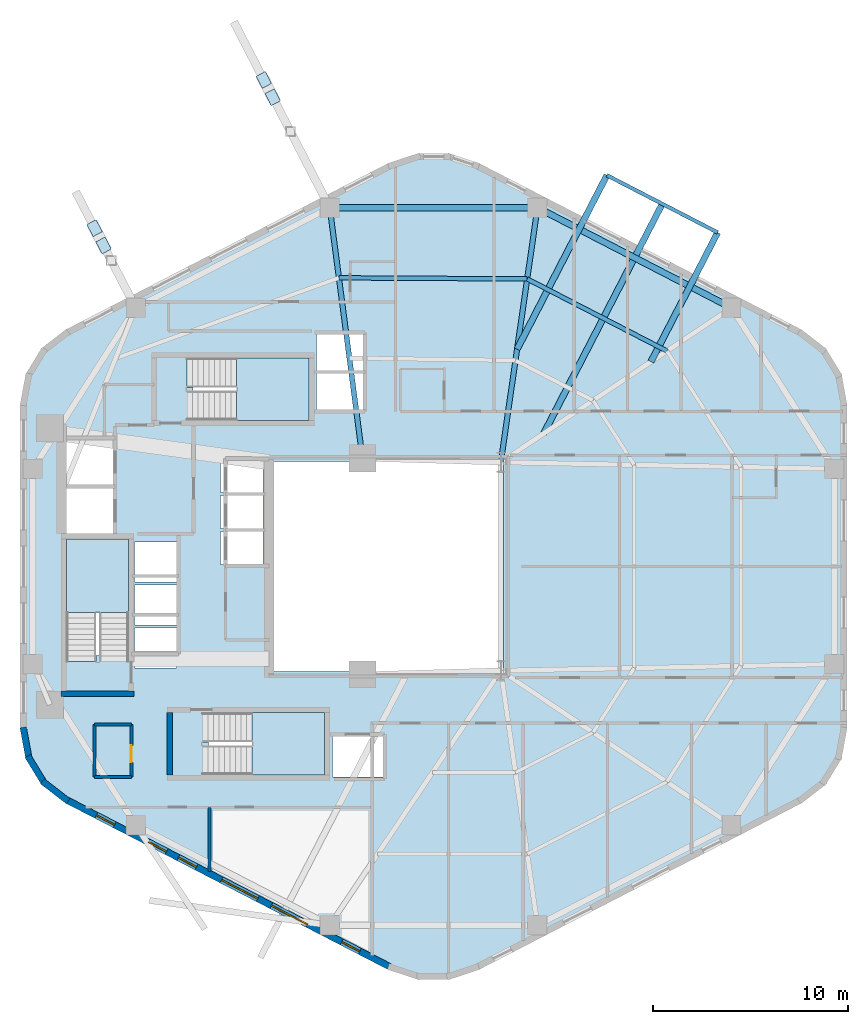
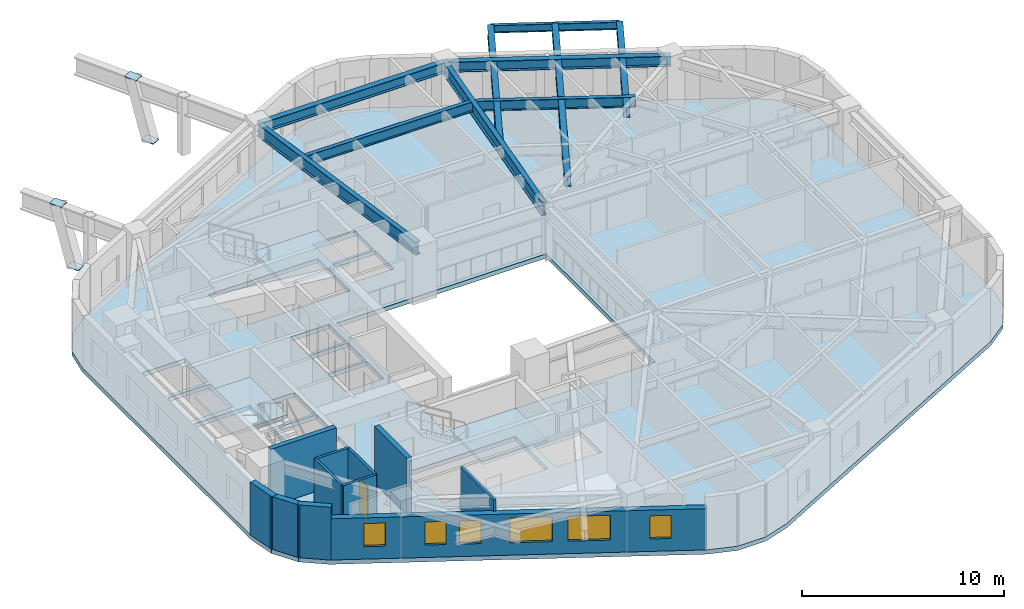
# One storey, part 2 of 8: 11 walls, 10 beams, 6 windows, 4 plates, 4 slabs, 1 door, 7 openings, 3 elements without a shape of their own.
"""IFC4 building model written with IfcOpenShell, lengths in metres."""

from ifc_helpers import new_model, si_unit, direction, frame, frame_2d, origin, origin_2d, place, context, subcontext, project, spatial, polyline, rectangle, i_section, outline, extrude, material, layer, layer_set, material_profile, profile_set, type_object, element, fill, aggregate, save


model = new_model("IFC4")

# Units and contexts
model_context = context("Model", 3, precision=1e-05, world=origin(), true_north=direction((0.0, 1.0)))
body_context = subcontext(model_context, "Body", "Model", "MODEL_VIEW")
ifc_project = project(units=[si_unit("LENGTHUNIT", "METRE"), si_unit("AREAUNIT", "SQUARE_METRE"), si_unit("VOLUMEUNIT", "CUBIC_METRE"), si_unit("PLANEANGLEUNIT", "RADIAN"), si_unit("MASSUNIT", "GRAM", prefix="KILO"), si_unit("THERMODYNAMICTEMPERATUREUNIT", "KELVIN"), si_unit("POWERUNIT", "WATT")], contexts=[model_context])

# Site, building, storey
site_placement = place(None, origin())
site = spatial("IfcSite", under=ifc_project, at=site_placement, CompositionType="ELEMENT")
building_placement = place(site_placement, origin())
building = spatial("IfcBuilding", under=site, at=building_placement, Name="Skarre Station Tower", CompositionType="ELEMENT")
storey_placement = place(building_placement, frame((0.0, 0.0, 129.14990234375)))
storey = spatial("IfcBuildingStorey", under=building, at=storey_placement, Name="L34", CompositionType="ELEMENT", Elevation=129.14990234375)

# Beams
ifc_material_1 = material(Name="Steel ASTM A992 Grade 50", Category="steel")
ifc_material_profile_1 = material_profile(ifc_material_1, i_section(OverallWidth=0.323974609375, OverallDepth=0.611083984375, WebThickness=0.012939453125, FlangeThickness=0.01904296875, at=origin_2d()), Name="Steel ASTM A992 Grade 50")
ifc_profile_set_1 = profile_set([ifc_material_profile_1], Name="Steel ASTM A992 Grade 50")
beam_type_1 = type_object("IfcBeamType", Name="Steel Beam W24X104", PredefinedType="BEAM", material=ifc_profile_set_1)
beam_1_placement = place(storey_placement, frame((41.655029296875, 30.825927734375, 2.800048828125), z_axis=(0.458663551569, 0.888610008081, 0.0), x_axis=(-0.888610008081, 0.458663551569, 0.0)))
element("IfcBeam", 1, at=beam_1_placement, inside=storey, type_object=beam_type_1, Name="L34 TB-L35-F0 Center Outrigger Beam", PredefinedType="BEAM", context=body_context, shape_type="SweptSolid", body=[
    extrude(i_section(OverallWidth=0.323974609375, OverallDepth=0.611083984375, WebThickness=0.012939453125, FlangeThickness=0.01904296875, at=origin_2d()), origin(), (0.0, 0.0, 1.0), 13.262451171875),
])
beam_2_placement = place(storey_placement, frame((47.156982421875, 34.509033203125, 2.800048828125), z_axis=(0.458648750807, 0.888617647463, 0.0), x_axis=(-0.888617647463, 0.458648750807, 0.0)))
element("IfcBeam", 2, at=beam_2_placement, inside=storey, type_object=beam_type_1, Name="L34 TB-L35-F0 Outrigger Beam 1", PredefinedType="BEAM", context=body_context, shape_type="SweptSolid", body=[
    extrude(i_section(OverallWidth=0.323974609375, OverallDepth=0.611083984375, WebThickness=0.012939453125, FlangeThickness=0.01904296875, at=origin_2d()), origin(), (0.0, 0.0, 1.0), 7.465576171875),
])
beam_3_placement = place(storey_placement, frame((40.284912109375, 35.14990234375, 2.800048828125), z_axis=(0.458683146358, 0.888599893792, 0.0), x_axis=(-0.888599893792, 0.458683146358, 0.0)))
element("IfcBeam", 3, at=beam_3_placement, inside=storey, type_object=beam_type_1, Name="L34 TB-L35-F0 Outrigger Beam 2", PredefinedType="BEAM", context=body_context, shape_type="SweptSolid", body=[
    extrude(i_section(OverallWidth=0.323974609375, OverallDepth=0.611083984375, WebThickness=0.012939453125, FlangeThickness=0.01904296875, at=origin_2d()), origin(), (0.0, 0.0, 1.0), 10.048583984375),
])
ifc_material_profile_2 = material_profile(ifc_material_1, i_section(OverallWidth=0.26806640625, OverallDepth=0.77001953125, WebThickness=0.01611328125, FlangeThickness=0.02490234375, at=origin_2d()), Name="Steel ASTM A992 Grade 50")
ifc_profile_set_2 = profile_set([ifc_material_profile_2], Name="Steel ASTM A992 Grade 50")
beam_type_2 = type_object("IfcBeamType", Name="Steel Beam W30X132", PredefinedType="BEAM", material=ifc_profile_set_2)
beam_4_placement = place(storey_placement, frame((39.449951171875, 29.35009765625, 2.80517578125), z_axis=(0.142480121776, 0.989797663616, 0.0), x_axis=(-0.989797663616, 0.142480121776, 0.0)))
element("IfcBeam", 4, at=beam_4_placement, inside=storey, type_object=beam_type_2, Name="L34 Radial Floor Girder F0C2", PredefinedType="BEAM", context=body_context, shape_type="SweptSolid", body=[
    extrude(i_section(OverallWidth=0.26806640625, OverallDepth=0.77001953125, WebThickness=0.01611328125, FlangeThickness=0.02490234375, at=origin_2d()), origin(), (0.0, 0.0, 1.0), 13.20263671875),
])
beam_5_placement = place(storey_placement, frame((32.35009765625, 29.550048828125, 2.80517578125), z_axis=(-0.129545878778, 0.991573429097, 0.0), x_axis=(-0.991573429097, -0.129545878778, 0.0)))
element("IfcBeam", 5, at=beam_5_placement, inside=storey, type_object=beam_type_2, Name="L34 Radial Floor Girder F1C1", PredefinedType="BEAM", context=body_context, shape_type="SweptSolid", body=[
    extrude(i_section(OverallWidth=0.26806640625, OverallDepth=0.77001953125, WebThickness=0.01611328125, FlangeThickness=0.02490234375, at=origin_2d()), origin(), (0.0, 0.0, 1.0), 12.977294921875),
])
ifc_material_profile_3 = material_profile(ifc_material_1, i_section(OverallWidth=0.19091796875, OverallDepth=0.45703125, WebThickness=0.009033203125, FlangeThickness=0.013916015625, at=origin_2d()), Name="Steel ASTM A992 Grade 50")
ifc_profile_set_3 = profile_set([ifc_material_profile_3], Name="Steel ASTM A992 Grade 50")
beam_type_3 = type_object("IfcBeamType", Name="Steel Joist W18X50", PredefinedType="JOIST", material=ifc_profile_set_3)
beam_6_placement = place(storey_placement, frame((50.5810546875, 41.14306640625, 2.8759765625), z_axis=(-0.888569497845, 0.458742027178, 0.0), x_axis=(-0.458742027178, -0.888569497845, 0.0)))
element("IfcBeam", 6, at=beam_6_placement, inside=storey, type_object=beam_type_3, Name="L34 TB-L35-F0 Rim Beam", PredefinedType="JOIST", context=body_context, shape_type="SweptSolid", body=[
    extrude(i_section(OverallWidth=0.19091796875, OverallDepth=0.45703125, WebThickness=0.009033203125, FlangeThickness=0.013916015625, at=origin_2d()), origin(), (0.0, 0.0, 1.0), 6.400146484375),
])
ifc_material_profile_4 = material_profile(ifc_material_1, i_section(OverallWidth=0.22802734375, OverallDepth=0.60791015625, WebThickness=0.010986328125, FlangeThickness=0.01708984375, at=origin_2d()), Name="Steel ASTM A992 Grade 50")
ifc_profile_set_4 = profile_set([ifc_material_profile_4], Name="Steel ASTM A992 Grade 50")
beam_type_4 = type_object("IfcBeamType", Name="Steel Joist W24X76", PredefinedType="JOIST", material=ifc_profile_set_4)
beam_7_placement = place(storey_placement, frame((47.97607421875, 35.056884765625, 2.885986328125), z_axis=(-0.888599977053, 0.458682985057, 0.0), x_axis=(-0.458682985057, -0.888599977053, 0.0)))
element("IfcBeam", 7, at=beam_7_placement, inside=storey, type_object=beam_type_4, Name="L34 Secondary Floor Joist 2", PredefinedType="JOIST", context=body_context, shape_type="SweptSolid", body=[
    extrude(i_section(OverallWidth=0.22802734375, OverallDepth=0.60791015625, WebThickness=0.010986328125, FlangeThickness=0.01708984375, at=origin_2d()), origin(), (0.0, 0.0, 1.0), 8.0712890625),
])
beam_8_placement = place(storey_placement, frame((40.803955078125, 38.759033203125, 2.885986328125), z_axis=(-0.999983266349, 0.005785068917, 0.0), x_axis=(-0.005785068917, -0.999983266349, 0.0)))
element("IfcBeam", 8, at=beam_8_placement, inside=storey, type_object=beam_type_4, Name="L34 Secondary Floor Joist 4", PredefinedType="JOIST", context=body_context, shape_type="SweptSolid", body=[
    extrude(i_section(OverallWidth=0.22802734375, OverallDepth=0.60791015625, WebThickness=0.010986328125, FlangeThickness=0.01708984375, at=origin_2d()), origin(), (0.0, 0.0, 1.0), 9.664306640625),
])
ifc_material_profile_5 = material_profile(ifc_material_1, i_section(OverallWidth=0.327880859375, OverallDepth=0.6279296875, WebThickness=0.01708984375, FlangeThickness=0.028076171875, at=origin_2d()), Name="Steel ASTM A992 Grade 50")
ifc_profile_set_5 = profile_set([ifc_material_profile_5], Name="Steel ASTM A992 Grade 50")
beam_type_5 = type_object("IfcBeamType", Name="Steel Spandrel W24X146", PredefinedType="SPANDREL", material=ifc_profile_set_5)
beam_9_placement = place(storey_placement, frame((51.291015625, 37.277099609375, 2.8759765625), z_axis=(-0.888611779493, 0.458660119639, 0.0), x_axis=(-0.458660119639, -0.888611779493, 0.0)))
element("IfcBeam", 9, at=beam_9_placement, inside=storey, type_object=beam_type_5, Name="L34 Facet Spandrel Beam 1", PredefinedType="SPANDREL", context=body_context, shape_type="SweptSolid", body=[
    extrude(i_section(OverallWidth=0.327880859375, OverallDepth=0.6279296875, WebThickness=0.01708984375, FlangeThickness=0.028076171875, at=origin_2d()), origin(), (0.0, 0.0, 1.0), 11.20849609375),
])
beam_10_placement = place(storey_placement, frame((41.3310546875, 42.41796875, 2.8759765625), z_axis=(-1.0, 0.0, 0.0), x_axis=(0.0, -1.0, 0.0)))
element("IfcBeam", 10, at=beam_10_placement, inside=storey, type_object=beam_type_5, Name="L34 Facet Spandrel Beam 2", PredefinedType="SPANDREL", context=body_context, shape_type="SweptSolid", body=[
    extrude(i_section(OverallWidth=0.327880859375, OverallDepth=0.6279296875, WebThickness=0.01708984375, FlangeThickness=0.028076171875, at=origin_2d()), origin(), (0.0, 0.0, 1.0), 10.662109375),
])

# Plates
ifc_material_2 = material(Name="Steel ASTM A572 Grade 50", Category="steel")
ifc_layer_1 = layer(ifc_material_2, 0.031982421875, Name="Steel ASTM A572 Grade 50")
ifc_layer_set_1 = layer_set([ifc_layer_1], Name="Steel ASTM A572 Grade 50")
plate_type = type_object("IfcPlateType", Name="Exoskeleton Strut Cap Plate 700x540x32", PredefinedType="USERDEFINED", material=ifc_layer_set_1)
for number, where, z_axis, x_axis, name in (
    (11, (27.742919921875, 48.0869140625, -0.2861328125), (0.0, 0.0, 1.0), (-0.458649554484, 0.888617232655, 0.0), "L34 SB-3 Exoskeleton Tier-2 Base Gusset S1"),
    (12, (27.283935546875, 48.97607421875, 3.1640625), (0.0, 0.0, 1.0), (-0.458649554484, 0.888617232655, 0.0), "L34 SB-3 Exoskeleton Tier-2 Head Gusset S1"),
    (13, (19.05810546875, 40.47607421875, -0.2861328125), (0.0, 0.0, 1.0), (-0.458649554484, 0.888617232655, 0.0), "L34 SB-3 Exoskeleton Tier-2 Base Gusset S2"),
    (14, (18.59912109375, 41.364990234375, 3.1640625), (0.0, 0.0, 1.0), (-0.458649554484, 0.888617232655, 0.0), "L34 SB-3 Exoskeleton Tier-2 Head Gusset S2"),
):
    element("IfcPlate", number, at=place(storey_placement, frame(where, z_axis=z_axis, x_axis=x_axis)), inside=storey, type_object=plate_type, Name=name, ObjectType="STIFFENER_PLATE", PredefinedType="USERDEFINED", context=body_context, shape_type="SweptSolid", body=[
        extrude(rectangle(XDim=0.699951171875, YDim=0.5400390625, at=origin_2d()), origin(), (0.0, 0.0, 1.0), 0.031982421875),
    ])

# Stair, slab
ifc_material_3 = material(Name="Concrete C40/50", Category="concrete")
stair_type_1 = type_object("IfcStairType", Name="Reinforced Concrete Exit Stair ST-1", PredefinedType="HALF_TURN_STAIR", material=ifc_material_3)
stair_1_placement = place(storey_placement, origin())
stair_1 = element("IfcStair", 15, at=stair_1_placement, inside=storey, type_object=stair_type_1, Name="L34 Core Exit Stair ST-1", PredefinedType="HALF_TURN_STAIR")
ifc_layer_2 = layer(ifc_material_3, 0.219970703125, Name="Concrete C40/50")
ifc_layer_set_2 = layer_set([ifc_layer_2], Name="Concrete C40/50")
slab_type_1 = type_object("IfcSlabType", Name="Reinforced Concrete Stair & Ramp Landing 220", PredefinedType="LANDING", material=ifc_layer_set_2)
slab_1_placement = place(storey_placement, frame((0.0, 0.0, 1.525146484375)))
slab_1 = element("IfcSlab", 16, at=slab_1_placement, type_object=slab_type_1, Name="ST-1 landing 1", PredefinedType="LANDING", context=body_context, shape_type="SweptSolid", body=[
    extrude(outline(polyline([(20.35009765625, 21.639892578125), (20.35009765625, 25.39990234375), (17.14990234375, 25.39990234375), (17.14990234375, 21.639892578125), (20.35009765625, 21.639892578125)])), origin(), (0.0, 0.0, 1.0), 0.199951171875),
])
aggregate(stair_1, [slab_1])

stair_type_2 = type_object("IfcStairType", Name="Reinforced Concrete Exit Stair ST-2", PredefinedType="HALF_TURN_STAIR", material=ifc_material_3)
stair_2_placement = place(storey_placement, origin())
stair_2 = element("IfcStair", 17, at=stair_2_placement, inside=storey, type_object=stair_type_2, Name="L34 Core Exit Stair ST-2", PredefinedType="HALF_TURN_STAIR")
slab_2_placement = place(storey_placement, frame((0.0, 0.0, 1.525146484375)))
slab_2 = element("IfcSlab", 18, at=slab_2_placement, type_object=slab_type_1, Name="ST-2 landing 1", PredefinedType="LANDING", context=body_context, shape_type="SweptSolid", body=[
    extrude(outline(polyline([(26.669921875, 13.300048828125), (30.39990234375, 13.300048828125), (30.39990234375, 16.5), (26.669921875, 16.5), (26.669921875, 13.300048828125)])), origin(), (0.0, 0.0, 1.0), 0.199951171875),
])
aggregate(stair_2, [slab_2])

stair_type_3 = type_object("IfcStairType", Name="Reinforced Concrete Exit Stair ST-3", PredefinedType="HALF_TURN_STAIR", material=ifc_material_3)
stair_3_placement = place(storey_placement, origin())
stair_3 = element("IfcStair", 19, at=stair_3_placement, inside=storey, type_object=stair_type_3, Name="L34 Core Exit Stair ST-3", PredefinedType="HALF_TURN_STAIR")
slab_3_placement = place(storey_placement, frame((0.0, 0.0, 1.525146484375)))
slab_3 = element("IfcSlab", 20, at=slab_3_placement, type_object=slab_type_1, Name="ST-3 landing 1", PredefinedType="LANDING", context=body_context, shape_type="SweptSolid", body=[
    extrude(outline(polyline([(25.8701171875, 31.5), (29.60009765625, 31.5), (29.60009765625, 34.699951171875), (25.8701171875, 34.699951171875), (25.8701171875, 31.5)])), origin(), (0.0, 0.0, 1.0), 0.199951171875),
])
aggregate(stair_3, [slab_3])

# Slab
ifc_material_4 = material(Name="Concrete C50/60", Category="concrete")
ifc_layer_3 = layer(ifc_material_4, 0.260009765625, Name="Concrete C50/60")
ifc_layer_set_3 = layer_set([ifc_layer_3], Name="Concrete C50/60")
slab_type_2 = type_object("IfcSlabType", Name="Tower Typical Composite Floor Slab 260", PredefinedType="FLOOR", material=ifc_layer_set_3)
slab_4_placement = place(storey_placement, frame((0.0, 0.0, -0.260009765625)))
element("IfcSlab", 21, at=slab_4_placement, inside=storey, type_object=slab_type_2, Name="L34 Zone 2 Structural Floor Slab", PredefinedType="FLOOR", context=body_context, shape_type="SweptSolid", body=[
    extrude(outline(polyline([(57.218017578125, 32.35205078125), (56.93701171875, 33.873046875), (56.132080078125, 35.194091796875), (54.908935546875, 36.14111328125), (38.30908203125, 44.708984375), (36.7958984375, 45.2060546875), (35.2041015625, 45.2060546875), (33.69091796875, 44.708984375), (17.091064453125, 36.14111328125), (15.867919921875, 35.194091796875), (15.06298828125, 33.873046875), (14.781982421875, 32.35205078125), (14.781982421875, 15.64794921875), (15.06298828125, 14.126953125), (15.867919921875, 12.805908203125), (17.091064453125, 11.85888671875), (33.69091796875, 3.291015625), (35.2041015625, 2.7939453125), (36.7958984375, 2.7939453125), (38.30908203125, 3.291015625), (54.908935546875, 11.85888671875), (56.132080078125, 12.805908203125), (56.93701171875, 14.126953125), (57.218017578125, 15.64794921875), (57.218017578125, 32.35205078125)]), holes=[polyline([(18.669921875, 19.419921875), (18.669921875, 19.123046875), (17.14990234375, 19.123046875), (17.14990234375, 25.39990234375), (20.35009765625, 25.39990234375), (20.35009765625, 19.419921875), (18.669921875, 19.419921875)]), polyline([(24.449951171875, 14.97998046875), (24.153076171875, 14.97998046875), (24.153076171875, 16.5), (30.39990234375, 16.5), (30.39990234375, 13.300048828125), (24.449951171875, 13.300048828125), (24.449951171875, 14.97998046875)]), polyline([(23.64990234375, 33.179931640625), (23.35302734375, 33.179931640625), (23.35302734375, 34.699951171875), (29.60009765625, 34.699951171875), (29.60009765625, 31.5), (23.64990234375, 31.5), (23.64990234375, 33.179931640625)]), polyline([(17.14990234375, 28.0), (19.550048828125, 28.0), (19.550048828125, 25.699951171875), (17.14990234375, 25.699951171875), (17.14990234375, 28.0)]), polyline([(17.14990234375, 30.5), (19.550048828125, 30.5), (19.550048828125, 28.199951171875), (17.14990234375, 28.199951171875), (17.14990234375, 30.5)]), polyline([(30.800048828125, 15.300048828125), (33.39990234375, 15.300048828125), (33.39990234375, 13.199951171875), (30.800048828125, 13.199951171875), (30.800048828125, 15.300048828125)]), polyline([(25.050048828125, 25.800048828125), (27.25, 25.800048828125), (27.25, 24.10009765625), (25.050048828125, 24.10009765625), (25.050048828125, 25.800048828125)]), polyline([(25.050048828125, 27.64990234375), (27.25, 27.64990234375), (27.25, 25.949951171875), (25.050048828125, 25.949951171875), (25.050048828125, 27.64990234375)]), polyline([(25.050048828125, 29.5), (27.25, 29.5), (27.25, 27.800048828125), (25.050048828125, 27.800048828125), (25.050048828125, 29.5)]), polyline([(20.64990234375, 20.85009765625), (22.800048828125, 20.85009765625), (22.800048828125, 18.800048828125), (20.64990234375, 18.800048828125), (20.64990234375, 20.85009765625)]), polyline([(20.64990234375, 23.050048828125), (22.800048828125, 23.050048828125), (22.800048828125, 21.0), (20.64990234375, 21.0), (20.64990234375, 23.050048828125)]), polyline([(20.64990234375, 25.25), (22.800048828125, 25.25), (22.800048828125, 23.199951171875), (20.64990234375, 23.199951171875), (20.64990234375, 25.25)]), polyline([(30.0, 33.89990234375), (32.39990234375, 33.89990234375), (32.39990234375, 32.050048828125), (30.0, 32.050048828125), (30.0, 33.89990234375)]), polyline([(30.0, 35.89990234375), (32.39990234375, 35.89990234375), (32.39990234375, 34.050048828125), (30.0, 34.050048828125), (30.0, 35.89990234375)]), polyline([(27.60009765625, 29.39990234375), (39.60009765625, 29.39990234375), (39.60009765625, 18.60009765625), (27.60009765625, 18.60009765625), (27.60009765625, 29.39990234375)])]), origin(), (0.0, 0.0, 1.0), 0.260009765625),
])

# Walls
ifc_material_5 = material(Name="Acoustic Steel-Stud Gypsum Partition", Category="steel")
ifc_layer_4 = layer(ifc_material_5, 0.14990234375, Name="Acoustic Steel-Stud Gypsum Partition")
ifc_layer_set_4 = layer_set([ifc_layer_4], Name="Acoustic Steel-Stud Gypsum Partition")
wall_type_1 = type_object("IfcWallType", Name="Fire-Rated Corridor Acoustic Partition 150", PredefinedType="PARTITIONING", material=ifc_layer_set_4)
wall_1_placement = place(storey_placement, frame((18.60009765625, 15.8798828125, 0.0), z_axis=(0.0, 0.0, 1.0), x_axis=(0.0, -1.0, 0.0)))
element("IfcWall", 22, at=wall_1_placement, inside=storey, type_object=wall_type_1, Name="L34 Interior Partition WL-PT-L34-CSVC-W", PredefinedType="PARTITIONING", context=body_context, shape_type="SweptSolid", body=[
    extrude(rectangle(XDim=2.679931640625, YDim=0.14990234375, at=frame_2d((1.33984375, 0.0))), origin(), (0.0, 0.0, 1.0), 3.190185546875),
])
for number, where, z_axis, x_axis, name in (
    (23, (18.60009765625, 13.199951171875, 0.0), (0.0, 0.0, 1.0), (1.0, 0.0, 0.0), "L34 Interior Partition WL-PT-L34-CSVC-S"),
    (24, (18.60009765625, 15.8798828125, 0.0), (0.0, 0.0, 1.0), (1.0, 0.0, 0.0), "L34 Interior Partition WL-PT-L34-CSVC-N"),
):
    element("IfcWall", number, at=place(storey_placement, frame(where, z_axis=z_axis, x_axis=x_axis)), inside=storey, type_object=wall_type_1, Name=name, PredefinedType="PARTITIONING", context=body_context, shape_type="SweptSolid", body=[
        extrude(rectangle(XDim=1.889892578125, YDim=0.14990234375, at=frame_2d((0.94482421875, 0.0))), origin(), (0.0, 0.0, 1.0), 3.190185546875),
    ])

# Wall, opening, door
wall_2_placement = place(storey_placement, frame((20.489990234375, 13.199951171875, 0.0), z_axis=(0.0, 0.0, 1.0), x_axis=(0.0, 1.0, 0.0)))
wall_2 = element("IfcWall", 25, at=wall_2_placement, inside=storey, type_object=wall_type_1, Name="L34 Interior Partition WL-PT-L34-CSVC-E", PredefinedType="PARTITIONING", context=body_context, shape_type="SweptSolid", body=[
    extrude(rectangle(XDim=2.679931640625, YDim=0.14990234375, at=frame_2d((1.33984375, 0.0))), origin(), (0.0, 0.0, 1.0), 3.190185546875),
])
opening_1_placement = place(wall_2_placement, frame((0.75, 0.0, 0.0)))
opening_1 = element("IfcOpeningElement", 26, at=opening_1_placement, cuts=wall_2, Name="Opening DR-SVC86", PredefinedType="OPENING", context=body_context, shape_type="SweptSolid", body=[
    extrude(rectangle(XDim=0.860107421875, YDim=2.0, at=frame_2d((0.43017578125, 1.0))), frame((0.0, 0.0849609375, 0.0), z_axis=(0.0, -1.0, 0.0), x_axis=(1.0, 0.0, 0.0)), (0.0, 0.0, 1.0), 0.169921875),
])
ifc_material_6 = material(Name="Powder-Coated Hollow-Metal Acoustic Fire Leaf", Category="steel")
door_type = type_object("IfcDoorType", Name="Compact Riser Fire Door FD60 860x2100", OperationType="SINGLE_SWING_LEFT", PredefinedType="DOOR", material=ifc_material_6)
door_placement = place(opening_1_placement, origin())
door = element("IfcDoor", 27, at=door_placement, inside=storey, type_object=door_type, Name="L34 Supply Room Door", OperationType="SINGLE_SWING_LEFT", OverallHeight=2.0, OverallWidth=0.860107421875, PredefinedType="DOOR", context=body_context, shape_type="SweptSolid", body=[
    extrude(rectangle(XDim=0.860107421875, YDim=2.0, at=frame_2d((0.43017578125, 1.0))), frame((0.0, 0.02490234375, 0.0), z_axis=(0.0, -1.0, 0.0), x_axis=(1.0, 0.0, 0.0)), (0.0, 0.0, 1.0), 0.050048828125),
])
fill(opening_1, door)

# Wall
wall_3_placement = place(storey_placement, frame((24.5, 8.35009765625, 0.0), z_axis=(0.0, 0.0, 1.0), x_axis=(0.0, 1.0, 0.0)))
element("IfcWall", 28, at=wall_3_placement, inside=storey, type_object=wall_type_1, Name="L34 Interior Partition WL-PT-L34-SWP-M", PredefinedType="PARTITIONING", context=body_context, shape_type="SweptSolid", body=[
    extrude(rectangle(XDim=3.289794921875, YDim=0.14990234375, at=frame_2d((1.64501953125, 0.0))), origin(), (0.0, 0.0, 1.0), 3.190185546875),
])

# Wall, openings, windows
ifc_material_7 = material(Name="Precast concrete C45/55", Category="concrete")
ifc_layer_5 = layer(ifc_material_7, 0.340087890625, Name="Precast concrete C45/55")
ifc_layer_set_5 = layer_set([ifc_layer_5], Name="Precast concrete C45/55")
wall_type_2 = type_object("IfcWallType", Name="Nordic Honed Precast Facet Wall 340", PredefinedType="STANDARD", material=ifc_layer_set_5)
wall_4_placement = place(storey_placement, frame((33.76904296875, 3.44189453125, 0.0), z_axis=(0.0, 0.0, 1.0), x_axis=(-0.888613612362, 0.458656568606, 0.0)))
wall_4 = element("IfcWall", 29, at=wall_4_placement, inside=storey, type_object=wall_type_2, Name="L34 Facet 3 Nordic Precast Masonry Wall", PredefinedType="STANDARD", context=body_context, shape_type="SweptSolid", body=[
    extrude(rectangle(XDim=18.680908203125, YDim=0.340087890625, at=frame_2d((9.34033203125, 0.0))), origin(), (0.0, 0.0, 1.0), 2.494140625),
])
opening_2_placement = place(wall_4_placement, frame((1.75, 0.0, 0.75)))
opening_2 = element("IfcOpeningElement", 30, at=opening_2_placement, cuts=wall_4, Name="Opening WN-SLT", PredefinedType="OPENING", context=body_context, shape_type="SweptSolid", body=[
    extrude(rectangle(XDim=1.050048828125, YDim=1.39990234375, at=frame_2d((0.52490234375, 0.699951171875))), frame((0.0, 0.179931640625, 0.0), z_axis=(0.0, -1.0, 0.0), x_axis=(1.0, 0.0, 0.0)), (0.0, 0.0, 1.0), 0.360107421875),
])
opening_3_placement = place(wall_4_placement, frame((4.764892578125, 0.0, 0.75)))
opening_3 = element("IfcOpeningElement", 31, at=opening_3_placement, cuts=wall_4, Name="Opening WN-Z2B", PredefinedType="OPENING", context=body_context, shape_type="SweptSolid", body=[
    extrude(rectangle(XDim=2.10009765625, YDim=1.5, at=frame_2d((1.050048828125, 0.75))), frame((0.0, 0.179931640625, 0.0), z_axis=(0.0, -1.0, 0.0), x_axis=(1.0, 0.0, 0.0)), (0.0, 0.0, 1.0), 0.360107421875),
])
opening_4_placement = place(wall_4_placement, frame((7.64404296875, 0.0, 0.75)))
opening_4 = element("IfcOpeningElement", 32, at=opening_4_placement, cuts=wall_4, Name="Opening WN-Z2B", PredefinedType="OPENING", context=body_context, shape_type="SweptSolid", body=[
    extrude(rectangle(XDim=2.10009765625, YDim=1.5, at=frame_2d((1.050048828125, 0.75))), frame((0.0, 0.179931640625, 0.0), z_axis=(0.0, -1.0, 0.0), x_axis=(1.0, 0.0, 0.0)), (0.0, 0.0, 1.0), 0.360107421875),
])
opening_5_placement = place(wall_4_placement, frame((11.18310546875, 0.0, 0.75)))
opening_5 = element("IfcOpeningElement", 33, at=opening_5_placement, cuts=wall_4, Name="Opening WN-SLT", PredefinedType="OPENING", context=body_context, shape_type="SweptSolid", body=[
    extrude(rectangle(XDim=1.050048828125, YDim=1.39990234375, at=frame_2d((0.52490234375, 0.699951171875))), frame((0.0, 0.179931640625, 0.0), z_axis=(0.0, -1.0, 0.0), x_axis=(1.0, 0.0, 0.0)), (0.0, 0.0, 1.0), 0.360107421875),
])
opening_6_placement = place(wall_4_placement, frame((12.9140625, 0.0, 0.75)))
opening_6 = element("IfcOpeningElement", 34, at=opening_6_placement, cuts=wall_4, Name="Opening WN-SLT", PredefinedType="OPENING", context=body_context, shape_type="SweptSolid", body=[
    extrude(rectangle(XDim=1.050048828125, YDim=1.39990234375, at=frame_2d((0.52490234375, 0.699951171875))), frame((0.0, 0.179931640625, 0.0), z_axis=(0.0, -1.0, 0.0), x_axis=(1.0, 0.0, 0.0)), (0.0, 0.0, 1.0), 0.360107421875),
])
opening_7_placement = place(wall_4_placement, frame((15.919921875, 0.0, 0.75)))
opening_7 = element("IfcOpeningElement", 35, at=opening_7_placement, cuts=wall_4, Name="Opening WN-SLT", PredefinedType="OPENING", context=body_context, shape_type="SweptSolid", body=[
    extrude(rectangle(XDim=1.050048828125, YDim=1.39990234375, at=frame_2d((0.52490234375, 0.699951171875))), frame((0.0, 0.179931640625, 0.0), z_axis=(0.0, -1.0, 0.0), x_axis=(1.0, 0.0, 0.0)), (0.0, 0.0, 1.0), 0.360107421875),
])
ifc_material_8 = material(Name="Low-Iron Triple Glazing with Bronze Anodized Frame", Category="glass")
window_type_1 = type_object("IfcWindowType", Name="Nordic Corner Slot Window 1050x1400", PartitioningType="SINGLE_PANEL", PredefinedType="WINDOW", material=ifc_material_8)
window_1_placement = place(opening_2_placement, origin())
window_1 = element("IfcWindow", 36, at=window_1_placement, inside=storey, type_object=window_type_1, Name="L34 Facade Window WL-FAC-L34-F3-1", OverallHeight=1.39990234375, OverallWidth=1.050048828125, PartitioningType="SINGLE_PANEL", PredefinedType="WINDOW", context=body_context, shape_type="SweptSolid", body=[
    extrude(rectangle(XDim=1.050048828125, YDim=1.39990234375, at=frame_2d((0.52490234375, 0.699951171875))), frame((0.0, 0.030029296875, 0.0), z_axis=(0.0, -1.0, 0.0), x_axis=(1.0, 0.0, 0.0)), (0.0, 0.0, 1.0), 0.06005859375),
])
fill(opening_2, window_1)
window_2_placement = place(opening_5_placement, origin())
window_2 = element("IfcWindow", 37, at=window_2_placement, inside=storey, type_object=window_type_1, Name="L34 Facade Window WL-FAC-L34-F3-4", OverallHeight=1.39990234375, OverallWidth=1.050048828125, PartitioningType="SINGLE_PANEL", PredefinedType="WINDOW", context=body_context, shape_type="SweptSolid", body=[
    extrude(rectangle(XDim=1.050048828125, YDim=1.39990234375, at=frame_2d((0.52490234375, 0.699951171875))), frame((0.0, 0.030029296875, 0.0), z_axis=(0.0, -1.0, 0.0), x_axis=(1.0, 0.0, 0.0)), (0.0, 0.0, 1.0), 0.06005859375),
])
fill(opening_5, window_2)
window_3_placement = place(opening_6_placement, origin())
window_3 = element("IfcWindow", 38, at=window_3_placement, inside=storey, type_object=window_type_1, Name="L34 Facade Window WL-FAC-L34-F3-5", OverallHeight=1.39990234375, OverallWidth=1.050048828125, PartitioningType="SINGLE_PANEL", PredefinedType="WINDOW", context=body_context, shape_type="SweptSolid", body=[
    extrude(rectangle(XDim=1.050048828125, YDim=1.39990234375, at=frame_2d((0.52490234375, 0.699951171875))), frame((0.0, 0.030029296875, 0.0), z_axis=(0.0, -1.0, 0.0), x_axis=(1.0, 0.0, 0.0)), (0.0, 0.0, 1.0), 0.06005859375),
])
fill(opening_6, window_3)
window_4_placement = place(opening_7_placement, origin())
window_4 = element("IfcWindow", 39, at=window_4_placement, inside=storey, type_object=window_type_1, Name="L34 Facade Window WL-FAC-L34-F3-6", OverallHeight=1.39990234375, OverallWidth=1.050048828125, PartitioningType="SINGLE_PANEL", PredefinedType="WINDOW", context=body_context, shape_type="SweptSolid", body=[
    extrude(rectangle(XDim=1.050048828125, YDim=1.39990234375, at=frame_2d((0.52490234375, 0.699951171875))), frame((0.0, 0.030029296875, 0.0), z_axis=(0.0, -1.0, 0.0), x_axis=(1.0, 0.0, 0.0)), (0.0, 0.0, 1.0), 0.06005859375),
])
fill(opening_7, window_4)
window_type_2 = type_object("IfcWindowType", Name="Nordic Residential Twin Window 2100x1500", PartitioningType="SINGLE_PANEL", PredefinedType="WINDOW", material=ifc_material_8)
window_5_placement = place(opening_3_placement, origin())
window_5 = element("IfcWindow", 40, at=window_5_placement, inside=storey, type_object=window_type_2, Name="L34 Facade Window WL-FAC-L34-F3-2", OverallHeight=1.5, OverallWidth=2.10009765625, PartitioningType="SINGLE_PANEL", PredefinedType="WINDOW", context=body_context, shape_type="SweptSolid", body=[
    extrude(rectangle(XDim=2.10009765625, YDim=1.5, at=frame_2d((1.050048828125, 0.75))), frame((0.0, 0.030029296875, 0.0), z_axis=(0.0, -1.0, 0.0), x_axis=(1.0, 0.0, 0.0)), (0.0, 0.0, 1.0), 0.06005859375),
])
fill(opening_3, window_5)
window_6_placement = place(opening_4_placement, origin())
window_6 = element("IfcWindow", 41, at=window_6_placement, inside=storey, type_object=window_type_2, Name="L34 Facade Window WL-FAC-L34-F3-3", OverallHeight=1.5, OverallWidth=2.10009765625, PartitioningType="SINGLE_PANEL", PredefinedType="WINDOW", context=body_context, shape_type="SweptSolid", body=[
    extrude(rectangle(XDim=2.10009765625, YDim=1.5, at=frame_2d((1.050048828125, 0.75))), frame((0.0, 0.030029296875, 0.0), z_axis=(0.0, -1.0, 0.0), x_axis=(1.0, 0.0, 0.0)), (0.0, 0.0, 1.0), 0.06005859375),
])
fill(opening_4, window_6)

# Walls
ifc_layer_6 = layer(ifc_material_7, 0.330078125, Name="Precast concrete C45/55")
ifc_layer_set_6 = layer_set([ifc_layer_6], Name="Precast concrete C45/55")
wall_type_3 = type_object("IfcWallType", Name="Nordic Rounded Corner Precast Wall 330", PredefinedType="STANDARD", material=ifc_layer_set_6)
wall_5_placement = place(storey_placement, frame((17.242919921875, 11.949951171875, 0.0), z_axis=(0.0, 0.0, 1.0), x_axis=(-0.790621329885, 0.612305408053, 0.0)))
element("IfcWall", 42, at=wall_5_placement, inside=storey, type_object=wall_type_3, Name="L34 Rounded Corner Precast Wall F3-1", PredefinedType="STANDARD", context=body_context, shape_type="SweptSolid", body=[
    extrude(rectangle(XDim=1.67578125, YDim=0.330078125, at=frame_2d((0.837890625, 0.0))), origin(), (0.0, 0.0, 1.0), 3.190185546875),
])
wall_6_placement = place(storey_placement, frame((16.04296875, 12.8359375, 0.0), z_axis=(0.0, 0.0, 1.0), x_axis=(-0.520519429557, 0.853849824883, 0.0)))
element("IfcWall", 43, at=wall_6_placement, inside=storey, type_object=wall_type_3, Name="L34 Rounded Corner Precast Wall F3-2", PredefinedType="STANDARD", context=body_context, shape_type="SweptSolid", body=[
    extrude(rectangle(XDim=1.67724609375, YDim=0.330078125, at=frame_2d((0.838623046875, 0.0))), origin(), (0.0, 0.0, 1.0), 3.190185546875),
])
wall_7_placement = place(storey_placement, frame((15.237060546875, 14.093017578125, 0.0), z_axis=(0.0, 0.0, 1.0), x_axis=(-0.181984991895, 0.983301308209, 0.0)))
element("IfcWall", 44, at=wall_7_placement, inside=storey, type_object=wall_type_3, Name="L34 Rounded Corner Precast Wall F3-3", PredefinedType="STANDARD", context=body_context, shape_type="SweptSolid", body=[
    extrude(rectangle(XDim=1.677001953125, YDim=0.330078125, at=frame_2d((0.83837890625, 0.0))), origin(), (0.0, 0.0, 1.0), 3.190185546875),
])
ifc_layer_7 = layer(ifc_material_4, 0.280029296875, Name="Concrete C50/60")
ifc_layer_set_7 = layer_set([ifc_layer_7], Name="Concrete C50/60")
wall_type_4 = type_object("IfcWallType", Name="RC Core Shear Wall 280", PredefinedType="SHEAR", material=ifc_layer_set_7)
wall_8_placement = place(storey_placement, frame((16.8701171875, 17.4599609375, 0.0), z_axis=(0.0, 0.0, 1.0), x_axis=(1.0, 0.0, 0.0)))
element("IfcWall", 45, at=wall_8_placement, inside=storey, type_object=wall_type_4, Name="L34 Stair ST-1 South Shear Wall", PredefinedType="SHEAR", context=body_context, shape_type="SweptSolid", body=[
    extrude(rectangle(XDim=3.759765625, YDim=0.280029296875, at=frame_2d((1.8798828125, 0.0))), origin(), (0.0, 0.0, 1.0), 3.4501953125),
])
wall_9_placement = place(storey_placement, frame((22.4599609375, 16.5, 0.0), z_axis=(0.0, 0.0, 1.0), x_axis=(0.0, -1.0, 0.0)))
element("IfcWall", 46, at=wall_9_placement, inside=storey, type_object=wall_type_4, Name="L34 Stair ST-2 West Shear Wall", PredefinedType="SHEAR", context=body_context, shape_type="SweptSolid", body=[
    extrude(rectangle(XDim=3.199951171875, YDim=0.280029296875, at=frame_2d((1.60009765625, 0.0))), origin(), (0.0, 0.0, 1.0), 3.4501953125),
])

save(model, "model.ifc")
